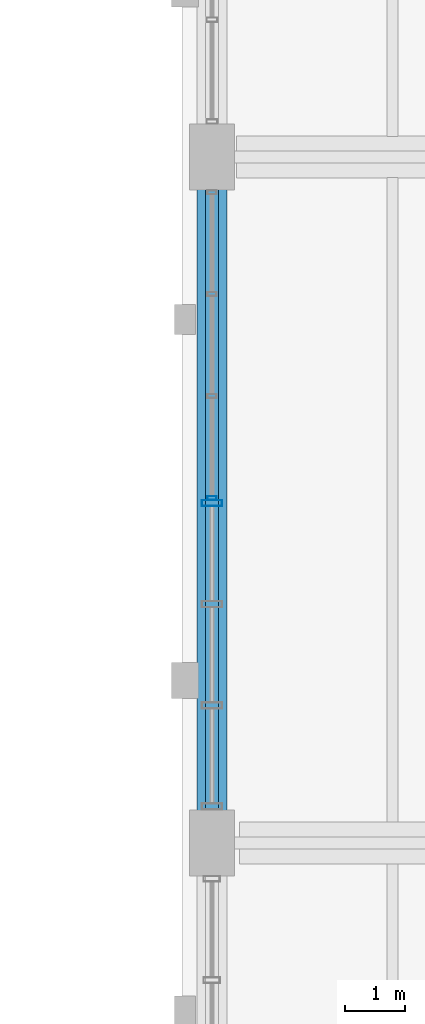
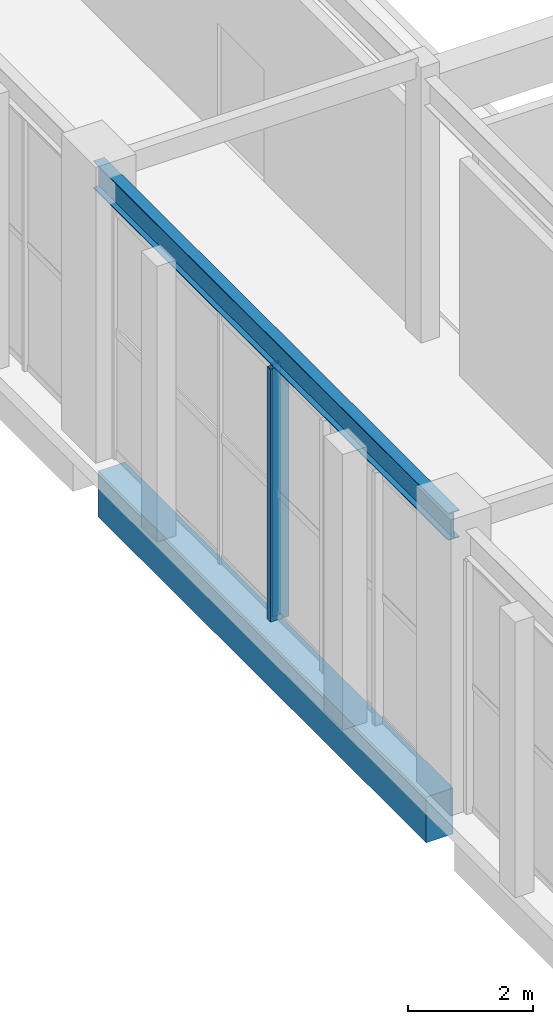
# One storey, part 46 of 113: 2 beams, 2 members, 2 elements without a shape of their own.
"""IFC4 building model written with IfcOpenShell, lengths in metres."""

from ifc_helpers import new_model, si_unit, direction, frame, origin, origin_2d, place, context, subcontext, project, spatial, rectangle, hollow_rectangle, i_section, extrude, material, layer, layer_set, material_profile, profile_set, type_object, element, aggregate, save


model = new_model("IFC4")

# Units and contexts
model_context = context("Model", 3, precision=1e-05, world=origin(), true_north=direction((0.0, 1.0)))
body_context = subcontext(model_context, "Body", "Model", "MODEL_VIEW")
ifc_project = project(units=[si_unit("LENGTHUNIT", "METRE"), si_unit("AREAUNIT", "SQUARE_METRE"), si_unit("VOLUMEUNIT", "CUBIC_METRE"), si_unit("PLANEANGLEUNIT", "RADIAN"), si_unit("MASSUNIT", "GRAM", prefix="KILO"), si_unit("POWERUNIT", "WATT"), si_unit("THERMODYNAMICTEMPERATUREUNIT", "KELVIN")], contexts=[model_context])

# Site, building, storey
site_placement = place(None, origin())
site = spatial("IfcSite", under=ifc_project, at=site_placement, CompositionType="ELEMENT")
building_placement = place(site_placement, origin())
building = spatial("IfcBuilding", under=site, at=building_placement, Name="Kelmbourne Parkland Aquatics Centre", CompositionType="ELEMENT")
storey_placement = place(building_placement, origin())
storey = spatial("IfcBuildingStorey", under=building, at=storey_placement, Name="L00", CompositionType="ELEMENT", Elevation=0.0)

# Beams
ifc_material_1 = material(Name="Concrete C40/50", Category="concrete")
ifc_material_profile_1 = material_profile(ifc_material_1, rectangle(XDim=0.5, YDim=0.89990234375, at=origin_2d()), Name="RC 500x900")
ifc_profile_set_1 = profile_set([ifc_material_profile_1], Name="Concrete C40/50")
beam_type_1 = type_object("IfcBeamType", Name="BM-G03", PredefinedType="BEAM", material=ifc_profile_set_1)
beam_1_placement = place(storey_placement, frame((96.0, 58.2548828125, -0.72998046875), z_axis=(0.0, 1.0, 0.0), x_axis=(-1.0, 0.0, 0.0)))
element("IfcBeam", 1, at=beam_1_placement, inside=storey, type_object=beam_type_1, Name="Primary girder 08-10 Grid L (L00)", PredefinedType="BEAM", context=body_context, shape_type="SweptSolid", body=[
    extrude(rectangle(XDim=0.5, YDim=0.89990234375, at=origin_2d()), origin(), (0.0, 0.0, 1.0), 10.5400390625),
])
ifc_material_2 = material(Name="Structural steel AS/NZS 3679.1 Grade 300", Category="steel")
ifc_material_profile_2 = material_profile(ifc_material_2, i_section(OverallWidth=0.208984375, OverallDepth=0.532958984375, WebThickness=0.01025390625, FlangeThickness=0.015625, at=origin_2d()), Name="530UB92.4")
ifc_profile_set_2 = profile_set([ifc_material_profile_2], Name="Structural steel AS/NZS 3679.1 Grade 300")
beam_type_2 = type_object("IfcBeamType", Name="BM-SP02", PredefinedType="SPANDREL", material=ifc_profile_set_2)
beam_2_placement = place(storey_placement, frame((96.0, 57.800048828125, 5.2333984375), z_axis=(0.0, 1.0, 0.0), x_axis=(-1.0, 0.0, 0.0)))
element("IfcBeam", 2, at=beam_2_placement, inside=storey, type_object=beam_type_2, Name="Perimeter spandrel 08-10 Grid L (L01_COL)", PredefinedType="SPANDREL", context=body_context, shape_type="SweptSolid", body=[
    extrude(i_section(OverallWidth=0.208984375, OverallDepth=0.532958984375, WebThickness=0.01025390625, FlangeThickness=0.015625, at=origin_2d()), origin(), (0.0, 0.0, 1.0), 11.39990234375),
])

# Curtain wall, member
ifc_material_3 = material(Name="Thermally broken anodised aluminium framing", Category="aluminium")
ifc_layer_1 = layer(ifc_material_3, 0.179931640625)
ifc_layer_set_1 = layer_set([ifc_layer_1], Name="Thermally broken anodised aluminium framing")
curtain_wall_type_1 = type_object("IfcCurtainWallType", Name="CW-17", PredefinedType="NOTDEFINED", material=ifc_layer_set_1)
curtain_wall_1_placement = place(storey_placement, origin())
curtain_wall_1 = element("IfcCurtainWall", 3, at=curtain_wall_1_placement, inside=storey, type_object=curtain_wall_type_1, Name="Facade curtain wall CW-L00-185", PredefinedType="NOTDEFINED")
ifc_material_profile_3 = material_profile(ifc_material_3, hollow_rectangle(XDim=0.06494140625, YDim=0.14990234375, WallThickness=0.00390625, at=origin_2d()), Name="CW-M 65x150")
ifc_profile_set_3 = profile_set([ifc_material_profile_3], Name="Thermally broken anodised aluminium framing")
member_type_1 = type_object("IfcMemberType", Name="MB-MUL-1", PredefinedType="MULLION", material=ifc_profile_set_3)
member_1_placement = place(storey_placement, frame((96.0, 63.532470703125, 0.0), z_axis=(0.0, 0.0, 1.0), x_axis=(0.0, 1.0, 0.0)))
member_1 = element("IfcMember", 4, at=member_1_placement, type_object=member_type_1, Name="CW-L00-185 mullion 0", PredefinedType="MULLION", context=body_context, shape_type="SweptSolid", body=[
    extrude(hollow_rectangle(XDim=0.06494140625, YDim=0.14990234375, WallThickness=0.00390625, at=origin_2d()), origin(), (0.0, 0.0, 1.0), 4.951904296875),
])
aggregate(curtain_wall_1, [member_1])

ifc_layer_2 = layer(ifc_material_3, 0.179931640625)
ifc_layer_set_2 = layer_set([ifc_layer_2], Name="Thermally broken anodised aluminium framing")
curtain_wall_type_2 = type_object("IfcCurtainWallType", Name="CW-16", PredefinedType="NOTDEFINED", material=ifc_layer_set_2)
curtain_wall_2_placement = place(storey_placement, origin())
curtain_wall_2 = element("IfcCurtainWall", 5, at=curtain_wall_2_placement, inside=storey, type_object=curtain_wall_type_2, Name="Facade curtain wall CW-L00-184", PredefinedType="NOTDEFINED")
ifc_material_profile_4 = material_profile(ifc_material_3, hollow_rectangle(XDim=0.10498046875, YDim=0.340087890625, WallThickness=0.006103515625, at=origin_2d()), Name="CW-M 105x340")
ifc_profile_set_4 = profile_set([ifc_material_profile_4], Name="Thermally broken anodised aluminium framing")
member_type_2 = type_object("IfcMemberType", Name="MB-MUL-5", PredefinedType="MULLION", material=ifc_profile_set_4)
member_2_placement = place(storey_placement, frame((96.0, 63.447509765625, 0.0), z_axis=(0.0, 0.0, 1.0), x_axis=(0.0, 1.0, 0.0)))
member_2 = element("IfcMember", 6, at=member_2_placement, type_object=member_type_2, Name="CW-L00-184 mullion 3", PredefinedType="MULLION", context=body_context, shape_type="SweptSolid", body=[
    extrude(hollow_rectangle(XDim=0.10498046875, YDim=0.340087890625, WallThickness=0.006103515625, at=origin_2d()), origin(), (0.0, 0.0, 1.0), 4.951904296875),
])
aggregate(curtain_wall_2, [member_2])

save(model, "model.ifc")
